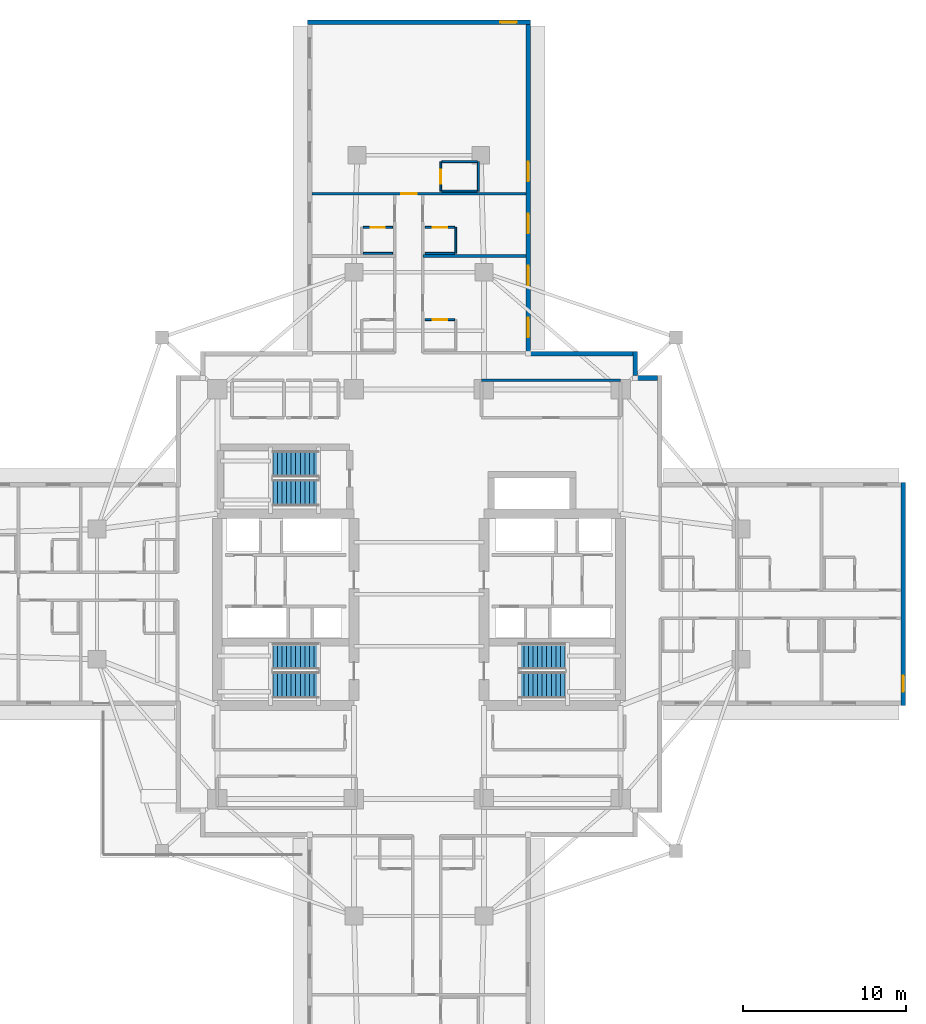
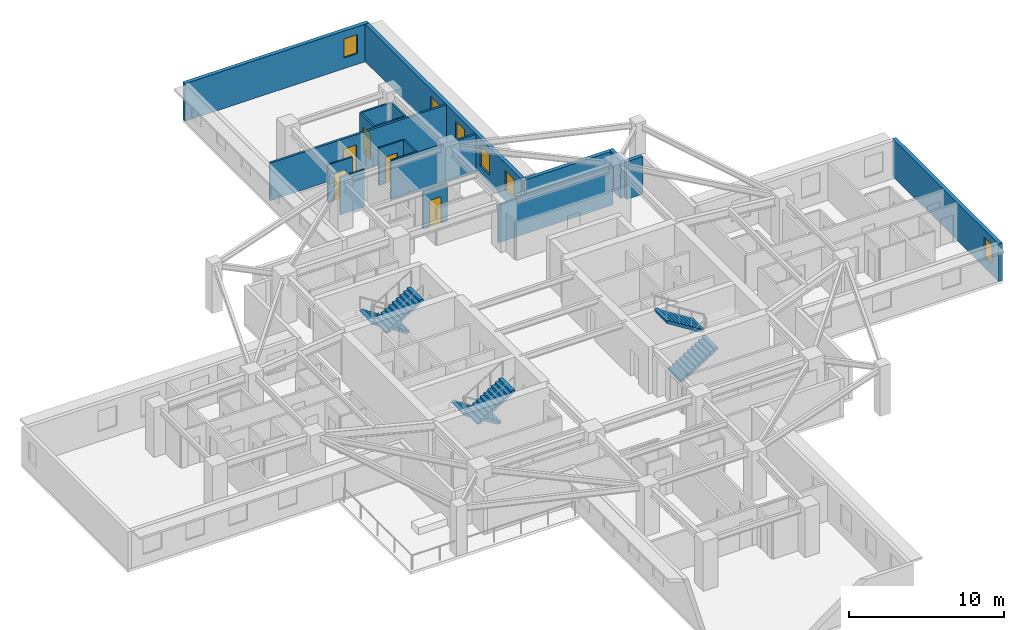
# One storey, part 8 of 13: 19 walls, 6 stair flights, 6 windows, 5 doors, 11 openings, 3 elements without a shape of their own.
"""IFC4 building model written with IfcOpenShell, lengths in metres."""

from ifc_helpers import new_model, si_unit, direction, frame, frame_2d, origin, place, context, subcontext, project, spatial, polyline, rectangle, outline, extrude, material, layer, layer_set, type_object, element, fill, aggregate, save


model = new_model("IFC4")

# Units and contexts
model_context = context("Model", 3, precision=1e-05, world=origin(), true_north=direction((0.0, 1.0)))
body_context = subcontext(model_context, "Body", "Model", "MODEL_VIEW")
ifc_project = project(units=[si_unit("LENGTHUNIT", "METRE"), si_unit("AREAUNIT", "SQUARE_METRE"), si_unit("VOLUMEUNIT", "CUBIC_METRE"), si_unit("PLANEANGLEUNIT", "RADIAN"), si_unit("MASSUNIT", "GRAM", prefix="KILO")], contexts=[model_context])

# Site, building, storey
site_placement = place(None, origin())
site = spatial("IfcSite", under=ifc_project, at=site_placement, CompositionType="ELEMENT")
building_placement = place(site_placement, origin())
building = spatial("IfcBuilding", under=site, at=building_placement, Name="Qingluan Cross Belvedere", CompositionType="ELEMENT")
storey_placement = place(building_placement, frame((0.0, 0.0, 104.699951171875)))
storey = spatial("IfcBuildingStorey", under=building, at=storey_placement, Name="L26", CompositionType="ELEMENT", Elevation=104.699951171875)

# Walls
ifc_material_1 = material(Name="Gypsum plasterboard on steel stud acoustic partition", Category="steel")
ifc_layer_1 = layer(ifc_material_1, 0.159912109375, Name="CorridorPartition_160")
ifc_layer_set_1 = layer_set([ifc_layer_1], Name="Gypsum plasterboard on steel stud acoustic partition")
wall_type_1 = type_object("IfcWallType", Name="CorridorPartition_160", PredefinedType="PARTITIONING", material=ifc_layer_set_1)
wall_1_placement = place(storey_placement, frame((3.85009765625, 13.14990234375, 0.0), z_axis=(0.0, 0.0, 1.0), x_axis=(1.0, 0.0, 0.0)))
element("IfcWall", 1, at=wall_1_placement, inside=storey, type_object=wall_type_1, Name="Partition L26:q_ne:N", PredefinedType="PARTITIONING", context=body_context, shape_type="SweptSolid", body=[
    extrude(rectangle(XDim=8.5498046875, YDim=0.159912109375, at=frame_2d((4.27490234375, 0.0))), origin(), (0.0, 0.0, 1.0), 2.9599609375),
])
wall_2_placement = place(storey_placement, frame((0.239990234375, 20.800048828125, 0.0), z_axis=(0.0, 0.0, 1.0), x_axis=(1.0, 0.0, 0.0)))
element("IfcWall", 2, at=wall_2_placement, inside=storey, type_object=wall_type_1, Name="Partition L26:N:d0_0", PredefinedType="PARTITIONING", context=body_context, shape_type="SweptSolid", body=[
    extrude(rectangle(XDim=6.33203125, YDim=0.159912109375, at=frame_2d((3.166015625, 0.0))), origin(), (0.0, 0.0, 1.0), 2.9599609375),
])

# Wall, opening, door
wall_3_placement = place(storey_placement, frame((-6.572021484375, 24.6298828125, 0.0), z_axis=(0.0, 0.0, 1.0), x_axis=(1.0, 0.0, 0.0)))
wall_3 = element("IfcWall", 3, at=wall_3_placement, inside=storey, type_object=wall_type_1, Name="Partition L26:Ncap:in", PredefinedType="PARTITIONING", context=body_context, shape_type="SweptSolid", body=[
    extrude(rectangle(XDim=13.14404296875, YDim=0.159912109375, at=frame_2d((6.572021484375, 0.0))), origin(), (0.0, 0.0, 1.0), 2.9599609375),
])
opening_1_placement = place(wall_3_placement, frame((5.471923828125, 0.0, 0.0)))
opening_1 = element("IfcOpeningElement", 4, at=opening_1_placement, cuts=wall_3, Name="Opening GD-10", PredefinedType="OPENING", context=body_context, shape_type="SweptSolid", body=[
    extrude(rectangle(XDim=0.9599609375, YDim=2.14990234375, at=frame_2d((0.47998046875, 1.074951171875))), frame((0.0, 0.08984375, 0.0), z_axis=(0.0, -1.0, 0.0), x_axis=(1.0, 0.0, 0.0)), (0.0, 0.0, 1.0), 0.179931640625),
])
ifc_material_2 = material(Name="Timber oak fire-rated acoustic guestroom door", Category="wood")
door_type_1 = type_object("IfcDoorType", Name="GuestEntryDoor_FD60", OperationType="NOTDEFINED", PredefinedType="DOOR", material=ifc_material_2)
door_1_placement = place(opening_1_placement, origin())
door_1 = element("IfcDoor", 5, at=door_1_placement, inside=storey, type_object=door_type_1, Name="Presidential suite entrance door L26N", OperationType="SINGLE_SWING_LEFT", OverallHeight=2.14990234375, OverallWidth=0.9599609375, PredefinedType="DOOR", context=body_context, shape_type="SweptSolid", body=[
    extrude(rectangle(XDim=0.9599609375, YDim=2.14990234375, at=frame_2d((0.47998046875, 1.074951171875))), frame((0.0, 0.02490234375, 0.0), z_axis=(0.0, -1.0, 0.0), x_axis=(1.0, 0.0, 0.0)), (0.0, 0.0, 1.0), 0.050048828125),
])
fill(opening_1, door_1)

ifc_material_3 = material(Name="Moisture-resistant gypsum board lining")
ifc_layer_2 = layer(ifc_material_3, 0.1201171875, Name="EnsuiteWetPartition_120")
ifc_layer_set_2 = layer_set([ifc_layer_2], Name="Moisture-resistant gypsum board lining")
wall_type_2 = type_object("IfcWallType", Name="EnsuiteWetPartition_120", PredefinedType="PARTITIONING", material=ifc_layer_set_2)
wall_4_placement = place(storey_placement, frame((0.3798828125, 16.889892578125, 0.0), z_axis=(0.0, 0.0, 1.0), x_axis=(1.0, 0.0, 0.0)))
wall_4 = element("IfcWall", 6, at=wall_4_placement, inside=storey, type_object=wall_type_2, Name="Partition L26:N:bs0_0", PredefinedType="PARTITIONING", context=body_context, shape_type="SweptSolid", body=[
    extrude(rectangle(XDim=1.820068359375, YDim=0.1201171875, at=frame_2d((0.91015625, 0.0))), origin(), (0.0, 0.0, 1.0), 2.9599609375),
])
opening_2_placement = place(wall_4_placement, frame((0.469970703125, 0.0, 0.0)))
opening_2 = element("IfcOpeningElement", 7, at=opening_2_placement, cuts=wall_4, Name="Opening BD-09", PredefinedType="OPENING", context=body_context, shape_type="SweptSolid", body=[
    extrude(rectangle(XDim=0.8798828125, YDim=2.10009765625, at=frame_2d((0.43994140625, 1.050048828125))), frame((0.0, 0.070068359375, 0.0), z_axis=(0.0, -1.0, 0.0), x_axis=(1.0, 0.0, 0.0)), (0.0, 0.0, 1.0), 0.14013671875),
])
ifc_material_4 = material(Name="Moisture-sealed timber en-suite door", Category="wood")
door_type_2 = type_object("IfcDoorType", Name="BathroomDoor_880", OperationType="NOTDEFINED", PredefinedType="DOOR", material=ifc_material_4)
door_2_placement = place(opening_2_placement, origin())
door_2 = element("IfcDoor", 8, at=door_2_placement, inside=storey, type_object=door_type_2, Name="Bathroom door 2611", OperationType="SINGLE_SWING_LEFT", OverallHeight=2.10009765625, OverallWidth=0.8798828125, PredefinedType="DOOR", context=body_context, shape_type="SweptSolid", body=[
    extrude(rectangle(XDim=0.8798828125, YDim=2.10009765625, at=frame_2d((0.43994140625, 1.050048828125))), frame((0.0, 0.02490234375, 0.0), z_axis=(0.0, -1.0, 0.0), x_axis=(1.0, 0.0, 0.0)), (0.0, 0.0, 1.0), 0.050048828125),
])
fill(opening_2, door_2)

wall_5_placement = place(storey_placement, frame((0.3798828125, 22.56005859375, 0.0), z_axis=(0.0, 0.0, 1.0), x_axis=(1.0, 0.0, 0.0)))
wall_5 = element("IfcWall", 9, at=wall_5_placement, inside=storey, type_object=wall_type_2, Name="Partition L26:N:bs0_1", PredefinedType="PARTITIONING", context=body_context, shape_type="SweptSolid", body=[
    extrude(rectangle(XDim=1.820068359375, YDim=0.1201171875, at=frame_2d((0.91015625, 0.0))), origin(), (0.0, 0.0, 1.0), 2.9599609375),
])
opening_3_placement = place(wall_5_placement, frame((0.469970703125, 0.0, 0.0)))
opening_3 = element("IfcOpeningElement", 10, at=opening_3_placement, cuts=wall_5, Name="Opening BD-09", PredefinedType="OPENING", context=body_context, shape_type="SweptSolid", body=[
    extrude(rectangle(XDim=0.8798828125, YDim=2.10009765625, at=frame_2d((0.43994140625, 1.050048828125))), frame((0.0, 0.070068359375, 0.0), z_axis=(0.0, -1.0, 0.0), x_axis=(1.0, 0.0, 0.0)), (0.0, 0.0, 1.0), 0.14013671875),
])
door_3_placement = place(opening_3_placement, origin())
door_3 = element("IfcDoor", 11, at=door_3_placement, inside=storey, type_object=door_type_2, Name="Bathroom door 2612", OperationType="SINGLE_SWING_LEFT", OverallHeight=2.10009765625, OverallWidth=0.8798828125, PredefinedType="DOOR", context=body_context, shape_type="SweptSolid", body=[
    extrude(rectangle(XDim=0.8798828125, YDim=2.10009765625, at=frame_2d((0.43994140625, 1.050048828125))), frame((0.0, 0.02490234375, 0.0), z_axis=(0.0, -1.0, 0.0), x_axis=(1.0, 0.0, 0.0)), (0.0, 0.0, 1.0), 0.050048828125),
])
fill(opening_3, door_3)

# Walls
wall_6_placement = place(storey_placement, frame((0.3798828125, 20.9599609375, 0.0), z_axis=(0.0, 0.0, 1.0), x_axis=(1.0, 0.0, 0.0)))
element("IfcWall", 12, at=wall_6_placement, inside=storey, type_object=wall_type_2, Name="Partition L26:N:bw0_1", PredefinedType="PARTITIONING", context=body_context, shape_type="SweptSolid", body=[
    extrude(rectangle(XDim=1.820068359375, YDim=0.1201171875, at=frame_2d((0.91015625, 0.0))), origin(), (0.0, 0.0, 1.0), 2.9599609375),
])
wall_7_placement = place(storey_placement, frame((2.264892578125, 20.9599609375, 0.0), z_axis=(0.0, 0.0, 1.0), x_axis=(0.0, 1.0, 0.0)))
element("IfcWall", 13, at=wall_7_placement, inside=storey, type_object=wall_type_2, Name="Partition L26:N:bn0_1", PredefinedType="PARTITIONING", context=body_context, shape_type="SweptSolid", body=[
    extrude(rectangle(XDim=1.60009765625, YDim=0.1201171875, at=frame_2d((0.800048828125, 0.0))), origin(), (0.0, 0.0, 1.0), 2.9599609375),
])

# Wall, opening, door
wall_8_placement = place(storey_placement, frame((-3.43994140625, 22.56005859375, 0.0), z_axis=(0.0, 0.0, 1.0), x_axis=(1.0, 0.0, 0.0)))
wall_8 = element("IfcWall", 14, at=wall_8_placement, inside=storey, type_object=wall_type_2, Name="Partition L26:N:bs1_1", PredefinedType="PARTITIONING", context=body_context, shape_type="SweptSolid", body=[
    extrude(rectangle(XDim=1.81982421875, YDim=0.1201171875, at=frame_2d((0.909912109375, 0.0))), origin(), (0.0, 0.0, 1.0), 2.9599609375),
])
opening_4_placement = place(wall_8_placement, frame((0.469970703125, 0.0, 0.0)))
opening_4 = element("IfcOpeningElement", 15, at=opening_4_placement, cuts=wall_8, Name="Opening BD-09", PredefinedType="OPENING", context=body_context, shape_type="SweptSolid", body=[
    extrude(rectangle(XDim=0.8798828125, YDim=2.10009765625, at=frame_2d((0.43994140625, 1.050048828125))), frame((0.0, 0.070068359375, 0.0), z_axis=(0.0, -1.0, 0.0), x_axis=(1.0, 0.0, 0.0)), (0.0, 0.0, 1.0), 0.14013671875),
])
door_4_placement = place(opening_4_placement, origin())
door_4 = element("IfcDoor", 16, at=door_4_placement, inside=storey, type_object=door_type_2, Name="Bathroom door 2614", OperationType="SINGLE_SWING_LEFT", OverallHeight=2.10009765625, OverallWidth=0.8798828125, PredefinedType="DOOR", context=body_context, shape_type="SweptSolid", body=[
    extrude(rectangle(XDim=0.8798828125, YDim=2.10009765625, at=frame_2d((0.43994140625, 1.050048828125))), frame((0.0, 0.02490234375, 0.0), z_axis=(0.0, -1.0, 0.0), x_axis=(1.0, 0.0, 0.0)), (0.0, 0.0, 1.0), 0.050048828125),
])
fill(opening_4, door_4)

# Wall
wall_9_placement = place(storey_placement, frame((-3.43994140625, 20.9599609375, 0.0), z_axis=(0.0, 0.0, 1.0), x_axis=(1.0, 0.0, 0.0)))
element("IfcWall", 17, at=wall_9_placement, inside=storey, type_object=wall_type_2, Name="Partition L26:N:bw1_1", PredefinedType="PARTITIONING", context=body_context, shape_type="SweptSolid", body=[
    extrude(rectangle(XDim=1.81982421875, YDim=0.1201171875, at=frame_2d((0.909912109375, 0.0))), origin(), (0.0, 0.0, 1.0), 2.9599609375),
])

# Wall, opening, door
wall_10_placement = place(storey_placement, frame((1.340087890625, 24.7900390625, 0.0), z_axis=(0.0, 0.0, 1.0), x_axis=(0.0, 1.0, 0.0)))
wall_10 = element("IfcWall", 18, at=wall_10_placement, inside=storey, type_object=wall_type_2, Name="Partition L26:Ncap:bs", PredefinedType="PARTITIONING", context=body_context, shape_type="SweptSolid", body=[
    extrude(rectangle(XDim=1.820068359375, YDim=0.1201171875, at=frame_2d((0.91015625, 0.0))), origin(), (0.0, 0.0, 1.0), 2.9599609375),
])
opening_5_placement = place(wall_10_placement, frame((0.449951171875, 0.0, 0.0)))
opening_5 = element("IfcOpeningElement", 19, at=opening_5_placement, cuts=wall_10, Name="Opening BD-09", PredefinedType="OPENING", context=body_context, shape_type="SweptSolid", body=[
    extrude(rectangle(XDim=0.8798828125, YDim=2.10009765625, at=frame_2d((0.43994140625, 1.050048828125))), frame((0.0, 0.070068359375, 0.0), z_axis=(0.0, -1.0, 0.0), x_axis=(1.0, 0.0, 0.0)), (0.0, 0.0, 1.0), 0.14013671875),
])
door_5_placement = place(opening_5_placement, origin())
door_5 = element("IfcDoor", 20, at=door_5_placement, inside=storey, type_object=door_type_2, Name="En-suite bathroom door L26N", OperationType="SINGLE_SWING_RIGHT", OverallHeight=2.10009765625, OverallWidth=0.8798828125, PredefinedType="DOOR", context=body_context, shape_type="SweptSolid", body=[
    extrude(rectangle(XDim=0.8798828125, YDim=2.10009765625, at=frame_2d((0.43994140625, 1.050048828125))), frame((0.0, 0.02490234375, 0.0), z_axis=(0.0, -1.0, 0.0), x_axis=(1.0, 0.0, 0.0)), (0.0, 0.0, 1.0), 0.050048828125),
])
fill(opening_5, door_5)

# Walls
wall_11_placement = place(storey_placement, frame((3.659912109375, 24.7900390625, 0.0), z_axis=(0.0, 0.0, 1.0), x_axis=(0.0, 1.0, 0.0)))
element("IfcWall", 21, at=wall_11_placement, inside=storey, type_object=wall_type_2, Name="Partition L26:Ncap:bb", PredefinedType="PARTITIONING", context=body_context, shape_type="SweptSolid", body=[
    extrude(rectangle(XDim=1.820068359375, YDim=0.1201171875, at=frame_2d((0.91015625, 0.0))), origin(), (0.0, 0.0, 1.0), 2.9599609375),
])
for number, where, z_axis, x_axis, name in (
    (22, (1.409912109375, 24.7900390625, 0.0), (0.0, 0.0, 1.0), (1.0, 0.0, 0.0), "Partition L26:Ncap:ba"),
    (23, (1.409912109375, 26.610107421875, 0.0), (0.0, 0.0, 1.0), (1.0, 0.0, 0.0), "Partition L26:Ncap:bn"),
):
    element("IfcWall", number, at=place(storey_placement, frame(where, z_axis=z_axis, x_axis=x_axis)), inside=storey, type_object=wall_type_2, Name=name, PredefinedType="PARTITIONING", context=body_context, shape_type="SweptSolid", body=[
        extrude(rectangle(XDim=2.18017578125, YDim=0.1201171875, at=frame_2d((1.090087890625, 0.0))), origin(), (0.0, 0.0, 1.0), 2.9599609375),
    ])

# Wall, opening, window
ifc_material_5 = material(Name="Precast concrete C45", Category="concrete")
ifc_layer_3 = layer(ifc_material_5, 0.280029296875, Name="PrecastFacadeWall_280")
ifc_layer_set_3 = layer_set([ifc_layer_3], Name="Precast concrete C45")
wall_type_3 = type_object("IfcWallType", Name="PrecastFacadeWall_280", PredefinedType="STANDARD", material=ifc_layer_set_3)
wall_12_placement = place(storey_placement, frame((29.780029296875, -6.860107421875, 0.0), z_axis=(0.0, 0.0, 1.0), x_axis=(0.0, 1.0, 0.0)))
wall_12 = element("IfcWall", 24, at=wall_12_placement, inside=storey, type_object=wall_type_3, Name="Arm tip precast facade wall L26-E", PredefinedType="STANDARD", context=body_context, shape_type="SweptSolid", body=[
    extrude(rectangle(XDim=13.72021484375, YDim=0.280029296875, at=frame_2d((6.860107421875, 0.0))), origin(), (0.0, 0.0, 1.0), 2.969970703125),
])
opening_6_placement = place(wall_12_placement, frame((0.85009765625, 0.0, 0.85009765625)))
opening_6 = element("IfcOpeningElement", 25, at=opening_6_placement, cuts=wall_12, Name="Opening W-03", PredefinedType="OPENING", context=body_context, shape_type="SweptSolid", body=[
    extrude(rectangle(XDim=1.0, YDim=1.5, at=frame_2d((0.5, 0.75))), frame((0.0, 0.14990234375, 0.0), z_axis=(0.0, -1.0, 0.0), x_axis=(1.0, 0.0, 0.0)), (0.0, 0.0, 1.0), 0.300048828125),
])
ifc_material_6 = material(Name="Thermally broken triple Low-E glass in aluminium frame", Category="aluminium")
window_type_1 = type_object("IfcWindowType", Name="TriApexWin_1000x1500", PartitioningType="SINGLE_PANEL", PredefinedType="WINDOW", material=ifc_material_6)
window_1_placement = place(opening_6_placement, origin())
window_1 = element("IfcWindow", 26, at=window_1_placement, inside=storey, type_object=window_type_1, Name="Arm tip triangular window L26-E", OverallHeight=1.5, OverallWidth=1.0, PartitioningType="SINGLE_PANEL", PredefinedType="WINDOW", context=body_context, shape_type="SweptSolid", body=[
    extrude(rectangle(XDim=1.0, YDim=1.5, at=frame_2d((0.5, 0.75))), frame((0.0, 0.030029296875, 0.0), z_axis=(0.0, -1.0, 0.0), x_axis=(1.0, 0.0, 0.0)), (0.0, 0.0, 1.0), 0.06005859375),
])
fill(opening_6, window_1)

# Wall, openings, windows
wall_13_placement = place(storey_placement, frame((6.719970703125, 14.93994140625, 0.0), z_axis=(0.0, 0.0, 1.0), x_axis=(0.0, 1.0, 0.0)))
wall_13 = element("IfcWall", 27, at=wall_13_placement, inside=storey, type_object=wall_type_3, Name="Facade wall L26-NA", PredefinedType="STANDARD", context=body_context, shape_type="SweptSolid", body=[
    extrude(rectangle(XDim=20.10009765625, YDim=0.280029296875, at=frame_2d((10.050048828125, 0.0))), origin(), (0.0, 0.0, 1.0), 2.969970703125),
])
opening_7_placement = place(wall_13_placement, frame((0.85009765625, 0.0, 0.800048828125)))
opening_7 = element("IfcOpeningElement", 28, at=opening_7_placement, cuts=wall_13, Name="Opening W-02", PredefinedType="OPENING", context=body_context, shape_type="SweptSolid", body=[
    extrude(rectangle(XDim=1.199951171875, YDim=1.60009765625, at=frame_2d((0.60009765625, 0.800048828125))), frame((0.0, 0.14990234375, 0.0), z_axis=(0.0, -1.0, 0.0), x_axis=(1.0, 0.0, 0.0)), (0.0, 0.0, 1.0), 0.300048828125),
])
opening_8_placement = place(wall_13_placement, frame((4.050048828125, 0.0, 0.800048828125)))
opening_8 = element("IfcOpeningElement", 29, at=opening_8_placement, cuts=wall_13, Name="Opening W-02", PredefinedType="OPENING", context=body_context, shape_type="SweptSolid", body=[
    extrude(rectangle(XDim=1.199951171875, YDim=1.60009765625, at=frame_2d((0.60009765625, 0.800048828125))), frame((0.0, 0.14990234375, 0.0), z_axis=(0.0, -1.0, 0.0), x_axis=(1.0, 0.0, 0.0)), (0.0, 0.0, 1.0), 0.300048828125),
])
opening_9_placement = place(wall_13_placement, frame((7.25, 0.0, 0.800048828125)))
opening_9 = element("IfcOpeningElement", 30, at=opening_9_placement, cuts=wall_13, Name="Opening W-02", PredefinedType="OPENING", context=body_context, shape_type="SweptSolid", body=[
    extrude(rectangle(XDim=1.199951171875, YDim=1.60009765625, at=frame_2d((0.60009765625, 0.800048828125))), frame((0.0, 0.14990234375, 0.0), z_axis=(0.0, -1.0, 0.0), x_axis=(1.0, 0.0, 0.0)), (0.0, 0.0, 1.0), 0.300048828125),
])
opening_10_placement = place(wall_13_placement, frame((10.449951171875, 0.0, 0.800048828125)))
opening_10 = element("IfcOpeningElement", 31, at=opening_10_placement, cuts=wall_13, Name="Opening W-02", PredefinedType="OPENING", context=body_context, shape_type="SweptSolid", body=[
    extrude(rectangle(XDim=1.199951171875, YDim=1.60009765625, at=frame_2d((0.60009765625, 0.800048828125))), frame((0.0, 0.14990234375, 0.0), z_axis=(0.0, -1.0, 0.0), x_axis=(1.0, 0.0, 0.0)), (0.0, 0.0, 1.0), 0.300048828125),
])
ifc_material_7 = material(Name="Thermally broken triple Low-E glass in aluminium frame", Category="aluminium")
window_type_2 = type_object("IfcWindowType", Name="TriRibbonWin_1200x1600", PartitioningType="SINGLE_PANEL", PredefinedType="WINDOW", material=ifc_material_7)
window_2_placement = place(opening_7_placement, origin())
window_2 = element("IfcWindow", 32, at=window_2_placement, inside=storey, type_object=window_type_2, Name="Ribbon window L26-NA-1", OverallHeight=1.60009765625, OverallWidth=1.199951171875, PartitioningType="SINGLE_PANEL", PredefinedType="WINDOW", context=body_context, shape_type="SweptSolid", body=[
    extrude(rectangle(XDim=1.199951171875, YDim=1.60009765625, at=frame_2d((0.60009765625, 0.800048828125))), frame((0.0, 0.030029296875, 0.0), z_axis=(0.0, -1.0, 0.0), x_axis=(1.0, 0.0, 0.0)), (0.0, 0.0, 1.0), 0.06005859375),
])
fill(opening_7, window_2)
window_3_placement = place(opening_8_placement, origin())
window_3 = element("IfcWindow", 33, at=window_3_placement, inside=storey, type_object=window_type_2, Name="Ribbon window L26-NA-2", OverallHeight=1.60009765625, OverallWidth=1.199951171875, PartitioningType="SINGLE_PANEL", PredefinedType="WINDOW", context=body_context, shape_type="SweptSolid", body=[
    extrude(rectangle(XDim=1.199951171875, YDim=1.60009765625, at=frame_2d((0.60009765625, 0.800048828125))), frame((0.0, 0.030029296875, 0.0), z_axis=(0.0, -1.0, 0.0), x_axis=(1.0, 0.0, 0.0)), (0.0, 0.0, 1.0), 0.06005859375),
])
fill(opening_8, window_3)
window_4_placement = place(opening_9_placement, origin())
window_4 = element("IfcWindow", 34, at=window_4_placement, inside=storey, type_object=window_type_2, Name="Ribbon window L26-NA-3", OverallHeight=1.60009765625, OverallWidth=1.199951171875, PartitioningType="SINGLE_PANEL", PredefinedType="WINDOW", context=body_context, shape_type="SweptSolid", body=[
    extrude(rectangle(XDim=1.199951171875, YDim=1.60009765625, at=frame_2d((0.60009765625, 0.800048828125))), frame((0.0, 0.030029296875, 0.0), z_axis=(0.0, -1.0, 0.0), x_axis=(1.0, 0.0, 0.0)), (0.0, 0.0, 1.0), 0.06005859375),
])
fill(opening_9, window_4)
window_5_placement = place(opening_10_placement, origin())
window_5 = element("IfcWindow", 35, at=window_5_placement, inside=storey, type_object=window_type_2, Name="Ribbon window L26-NA-4", OverallHeight=1.60009765625, OverallWidth=1.199951171875, PartitioningType="SINGLE_PANEL", PredefinedType="WINDOW", context=body_context, shape_type="SweptSolid", body=[
    extrude(rectangle(XDim=1.199951171875, YDim=1.60009765625, at=frame_2d((0.60009765625, 0.800048828125))), frame((0.0, 0.030029296875, 0.0), z_axis=(0.0, -1.0, 0.0), x_axis=(1.0, 0.0, 0.0)), (0.0, 0.0, 1.0), 0.06005859375),
])
fill(opening_10, window_5)

# Wall, opening, window
wall_14_placement = place(storey_placement, frame((6.860107421875, 35.179931640625, 0.0), z_axis=(0.0, 0.0, 1.0), x_axis=(-1.0, 0.0, 0.0)))
wall_14 = element("IfcWall", 36, at=wall_14_placement, inside=storey, type_object=wall_type_3, Name="Arm tip precast facade wall L26-N", PredefinedType="STANDARD", context=body_context, shape_type="SweptSolid", body=[
    extrude(rectangle(XDim=13.72021484375, YDim=0.280029296875, at=frame_2d((6.860107421875, 0.0))), origin(), (0.0, 0.0, 1.0), 2.969970703125),
])
opening_11_placement = place(wall_14_placement, frame((0.85009765625, 0.0, 0.85009765625)))
opening_11 = element("IfcOpeningElement", 37, at=opening_11_placement, cuts=wall_14, Name="Opening W-03", PredefinedType="OPENING", context=body_context, shape_type="SweptSolid", body=[
    extrude(rectangle(XDim=1.0, YDim=1.5, at=frame_2d((0.5, 0.75))), frame((0.0, 0.14990234375, 0.0), z_axis=(0.0, -1.0, 0.0), x_axis=(1.0, 0.0, 0.0)), (0.0, 0.0, 1.0), 0.300048828125),
])
window_6_placement = place(opening_11_placement, origin())
window_6 = element("IfcWindow", 38, at=window_6_placement, inside=storey, type_object=window_type_1, Name="Arm tip triangular window L26-N", OverallHeight=1.5, OverallWidth=1.0, PartitioningType="SINGLE_PANEL", PredefinedType="WINDOW", context=body_context, shape_type="SweptSolid", body=[
    extrude(rectangle(XDim=1.0, YDim=1.5, at=frame_2d((0.5, 0.75))), frame((0.0, 0.030029296875, 0.0), z_axis=(0.0, -1.0, 0.0), x_axis=(1.0, 0.0, 0.0)), (0.0, 0.0, 1.0), 0.06005859375),
])
fill(opening_11, window_6)

# Walls
wall_15_placement = place(storey_placement, frame((14.659912109375, 13.300048828125, 0.0), z_axis=(0.0, 0.0, 1.0), x_axis=(-1.0, 0.0, 0.0)))
element("IfcWall", 39, at=wall_15_placement, inside=storey, type_object=wall_type_3, Name="Corner wall L26-NE2", PredefinedType="STANDARD", context=body_context, shape_type="SweptSolid", body=[
    extrude(rectangle(XDim=1.219970703125, YDim=0.280029296875, at=frame_2d((0.60986328125, 0.0))), origin(), (0.0, 0.0, 1.0), 2.969970703125),
])
wall_16_placement = place(storey_placement, frame((13.300048828125, 13.43994140625, 0.0), z_axis=(0.0, 0.0, 1.0), x_axis=(0.0, 1.0, 0.0)))
element("IfcWall", 40, at=wall_16_placement, inside=storey, type_object=wall_type_3, Name="Corner wall L26-NE3", PredefinedType="STANDARD", context=body_context, shape_type="SweptSolid", body=[
    extrude(rectangle(XDim=1.5, YDim=0.280029296875, at=frame_2d((0.75, 0.0))), origin(), (0.0, 0.0, 1.0), 2.969970703125),
])
wall_17_placement = place(storey_placement, frame((13.159912109375, 14.800048828125, 0.0), z_axis=(0.0, 0.0, 1.0), x_axis=(-1.0, 0.0, 0.0)))
element("IfcWall", 41, at=wall_17_placement, inside=storey, type_object=wall_type_3, Name="Corner wall L26-NE4", PredefinedType="STANDARD", context=body_context, shape_type="SweptSolid", body=[
    extrude(rectangle(XDim=6.2998046875, YDim=0.280029296875, at=frame_2d((3.14990234375, 0.0))), origin(), (0.0, 0.0, 1.0), 2.969970703125),
])

# Stair, stair flights
ifc_material_8 = material(Name="Concrete C40", Category="concrete")
stair_type = type_object("IfcStairType", Name="CoreDoglegStair_1620", PredefinedType="HALF_TURN_STAIR", material=ifc_material_8)
stair_1_placement = place(storey_placement, origin())
stair_1 = element("IfcStair", 42, at=stair_1_placement, inside=storey, type_object=stair_type, Name="L26 ST1", PredefinedType="HALF_TURN_STAIR")
ifc_material_9 = material(Name="Concrete C40", Category="concrete")
ifc_layer_4 = layer(ifc_material_9, 0.179931640625, Name="StairFlight_RC180")
ifc_layer_set_4 = layer_set([ifc_layer_4], Name="Concrete C40")
stair_flight_type = type_object("IfcStairFlightType", Name="StairFlight_RC180", PredefinedType="STRAIGHT", material=ifc_layer_set_4)
stair_flight_1_placement = place(storey_placement, frame((-6.179931640625, -3.81005859375, 0.0), z_axis=(0.0, 0.0, 1.0), x_axis=(-1.0, 0.0, 0.0)))
stair_flight_1 = element("IfcStairFlight", 43, at=stair_flight_1_placement, type_object=stair_flight_type, Name="ST1 flight 1", NumberOfRisers=11, NumberOfTreads=10, PredefinedType="STRAIGHT", RiserHeight=0.177272727, TreadLength=0.28, context=body_context, shape_type="SweptSolid", body=[
    extrude(outline(polyline([(0.0, 0.0), (0.0, 0.17724609375), (0.280029296875, 0.17724609375), (0.280029296875, 0.3544921875), (0.56005859375, 0.3544921875), (0.56005859375, 0.53173828125), (0.840087890625, 0.53173828125), (0.840087890625, 0.708984375), (1.1201171875, 0.708984375), (1.1201171875, 0.886474609375), (1.39990234375, 0.886474609375), (1.39990234375, 1.063720703125), (1.679931640625, 1.063720703125), (1.679931640625, 1.240966796875), (1.9599609375, 1.240966796875), (1.9599609375, 1.418212890625), (2.239990234375, 1.418212890625), (2.239990234375, 1.595458984375), (2.52001953125, 1.595458984375), (2.52001953125, 1.772705078125), (2.800048828125, 1.772705078125), (2.800048828125, 1.949951171875), (2.800048828125, 1.59521484375), (0.2802734375, 0.0), (0.0, 0.0)])), frame((0.0, 0.81005859375, 0.0), z_axis=(0.0, -1.0, 0.0), x_axis=(1.0, 0.0, 0.0)), (0.0, 0.0, 1.0), 1.6201171875),
])
stair_flight_2_placement = place(storey_placement, frame((-8.97998046875, -5.590087890625, 1.949951171875), z_axis=(0.0, 0.0, 1.0), x_axis=(1.0, 0.0, 0.0)))
stair_flight_2 = element("IfcStairFlight", 44, at=stair_flight_2_placement, type_object=stair_flight_type, Name="ST1 flight 2", NumberOfRisers=11, NumberOfTreads=10, PredefinedType="STRAIGHT", RiserHeight=0.177272727, TreadLength=0.28, context=body_context, shape_type="SweptSolid", body=[
    extrude(outline(polyline([(0.0, 0.0), (0.0, 0.17724609375), (0.280029296875, 0.17724609375), (0.280029296875, 0.3544921875), (0.56005859375, 0.3544921875), (0.56005859375, 0.53173828125), (0.840087890625, 0.53173828125), (0.840087890625, 0.708984375), (1.1201171875, 0.708984375), (1.1201171875, 0.886474609375), (1.39990234375, 0.886474609375), (1.39990234375, 1.063720703125), (1.679931640625, 1.063720703125), (1.679931640625, 1.240966796875), (1.9599609375, 1.240966796875), (1.9599609375, 1.418212890625), (2.239990234375, 1.418212890625), (2.239990234375, 1.595458984375), (2.52001953125, 1.595458984375), (2.52001953125, 1.772705078125), (2.800048828125, 1.772705078125), (2.800048828125, 1.949951171875), (2.800048828125, 1.59521484375), (0.2802734375, 0.0), (0.0, 0.0)])), frame((0.0, 0.81005859375, 0.0), z_axis=(0.0, -1.0, 0.0), x_axis=(1.0, 0.0, 0.0)), (0.0, 0.0, 1.0), 1.6201171875),
])
aggregate(stair_1, [stair_flight_1, stair_flight_2])

stair_2_placement = place(storey_placement, origin())
stair_2 = element("IfcStair", 45, at=stair_2_placement, inside=storey, type_object=stair_type, Name="L26 ST2", PredefinedType="HALF_TURN_STAIR")
stair_flight_3_placement = place(storey_placement, frame((6.179931640625, -5.590087890625, 0.0), z_axis=(0.0, 0.0, 1.0), x_axis=(1.0, 0.0, 0.0)))
stair_flight_3 = element("IfcStairFlight", 46, at=stair_flight_3_placement, type_object=stair_flight_type, Name="ST2 flight 1", NumberOfRisers=11, NumberOfTreads=10, PredefinedType="STRAIGHT", RiserHeight=0.177272727, TreadLength=0.28, context=body_context, shape_type="SweptSolid", body=[
    extrude(outline(polyline([(0.0, 0.0), (0.0, 0.17724609375), (0.280029296875, 0.17724609375), (0.280029296875, 0.3544921875), (0.56005859375, 0.3544921875), (0.56005859375, 0.53173828125), (0.840087890625, 0.53173828125), (0.840087890625, 0.708984375), (1.1201171875, 0.708984375), (1.1201171875, 0.886474609375), (1.39990234375, 0.886474609375), (1.39990234375, 1.063720703125), (1.679931640625, 1.063720703125), (1.679931640625, 1.240966796875), (1.9599609375, 1.240966796875), (1.9599609375, 1.418212890625), (2.239990234375, 1.418212890625), (2.239990234375, 1.595458984375), (2.52001953125, 1.595458984375), (2.52001953125, 1.772705078125), (2.800048828125, 1.772705078125), (2.800048828125, 1.949951171875), (2.800048828125, 1.59521484375), (0.2802734375, 0.0), (0.0, 0.0)])), frame((0.0, 0.81005859375, 0.0), z_axis=(0.0, -1.0, 0.0), x_axis=(1.0, 0.0, 0.0)), (0.0, 0.0, 1.0), 1.6201171875),
])
stair_flight_4_placement = place(storey_placement, frame((8.97998046875, -3.81005859375, 1.949951171875), z_axis=(0.0, 0.0, 1.0), x_axis=(-1.0, 0.0, 0.0)))
stair_flight_4 = element("IfcStairFlight", 47, at=stair_flight_4_placement, type_object=stair_flight_type, Name="ST2 flight 2", NumberOfRisers=11, NumberOfTreads=10, PredefinedType="STRAIGHT", RiserHeight=0.177272727, TreadLength=0.28, context=body_context, shape_type="SweptSolid", body=[
    extrude(outline(polyline([(0.0, 0.0), (0.0, 0.17724609375), (0.280029296875, 0.17724609375), (0.280029296875, 0.3544921875), (0.56005859375, 0.3544921875), (0.56005859375, 0.53173828125), (0.840087890625, 0.53173828125), (0.840087890625, 0.708984375), (1.1201171875, 0.708984375), (1.1201171875, 0.886474609375), (1.39990234375, 0.886474609375), (1.39990234375, 1.063720703125), (1.679931640625, 1.063720703125), (1.679931640625, 1.240966796875), (1.9599609375, 1.240966796875), (1.9599609375, 1.418212890625), (2.239990234375, 1.418212890625), (2.239990234375, 1.595458984375), (2.52001953125, 1.595458984375), (2.52001953125, 1.772705078125), (2.800048828125, 1.772705078125), (2.800048828125, 1.949951171875), (2.800048828125, 1.59521484375), (0.2802734375, 0.0), (0.0, 0.0)])), frame((0.0, 0.81005859375, 0.0), z_axis=(0.0, -1.0, 0.0), x_axis=(1.0, 0.0, 0.0)), (0.0, 0.0, 1.0), 1.6201171875),
])
aggregate(stair_2, [stair_flight_3, stair_flight_4])

stair_3_placement = place(storey_placement, origin())
stair_3 = element("IfcStair", 48, at=stair_3_placement, inside=storey, type_object=stair_type, Name="L26 ST3", PredefinedType="HALF_TURN_STAIR")
stair_flight_5_placement = place(storey_placement, frame((-6.179931640625, 8.010009765625, 0.0), z_axis=(0.0, 0.0, 1.0), x_axis=(-1.0, 0.0, 0.0)))
stair_flight_5 = element("IfcStairFlight", 49, at=stair_flight_5_placement, type_object=stair_flight_type, Name="ST3 flight 1", NumberOfRisers=11, NumberOfTreads=10, PredefinedType="STRAIGHT", RiserHeight=0.177272727, TreadLength=0.28, context=body_context, shape_type="SweptSolid", body=[
    extrude(outline(polyline([(0.0, 0.0), (0.0, 0.17724609375), (0.280029296875, 0.17724609375), (0.280029296875, 0.3544921875), (0.56005859375, 0.3544921875), (0.56005859375, 0.53173828125), (0.840087890625, 0.53173828125), (0.840087890625, 0.708984375), (1.1201171875, 0.708984375), (1.1201171875, 0.886474609375), (1.39990234375, 0.886474609375), (1.39990234375, 1.063720703125), (1.679931640625, 1.063720703125), (1.679931640625, 1.240966796875), (1.9599609375, 1.240966796875), (1.9599609375, 1.418212890625), (2.239990234375, 1.418212890625), (2.239990234375, 1.595458984375), (2.52001953125, 1.595458984375), (2.52001953125, 1.772705078125), (2.800048828125, 1.772705078125), (2.800048828125, 1.949951171875), (2.800048828125, 1.59521484375), (0.2802734375, 0.0), (0.0, 0.0)])), frame((0.0, 0.81005859375, 0.0), z_axis=(0.0, -1.0, 0.0), x_axis=(1.0, 0.0, 0.0)), (0.0, 0.0, 1.0), 1.6201171875),
])
stair_flight_6_placement = place(storey_placement, frame((-8.97998046875, 6.22998046875, 1.949951171875), z_axis=(0.0, 0.0, 1.0), x_axis=(1.0, 0.0, 0.0)))
stair_flight_6 = element("IfcStairFlight", 50, at=stair_flight_6_placement, type_object=stair_flight_type, Name="ST3 flight 2", NumberOfRisers=11, NumberOfTreads=10, PredefinedType="STRAIGHT", RiserHeight=0.177272727, TreadLength=0.28, context=body_context, shape_type="SweptSolid", body=[
    extrude(outline(polyline([(0.0, 0.0), (0.0, 0.17724609375), (0.280029296875, 0.17724609375), (0.280029296875, 0.3544921875), (0.56005859375, 0.3544921875), (0.56005859375, 0.53173828125), (0.840087890625, 0.53173828125), (0.840087890625, 0.708984375), (1.1201171875, 0.708984375), (1.1201171875, 0.886474609375), (1.39990234375, 0.886474609375), (1.39990234375, 1.063720703125), (1.679931640625, 1.063720703125), (1.679931640625, 1.240966796875), (1.9599609375, 1.240966796875), (1.9599609375, 1.418212890625), (2.239990234375, 1.418212890625), (2.239990234375, 1.595458984375), (2.52001953125, 1.595458984375), (2.52001953125, 1.772705078125), (2.800048828125, 1.772705078125), (2.800048828125, 1.949951171875), (2.800048828125, 1.59521484375), (0.2802734375, 0.0), (0.0, 0.0)])), frame((0.0, 0.81005859375, 0.0), z_axis=(0.0, -1.0, 0.0), x_axis=(1.0, 0.0, 0.0)), (0.0, 0.0, 1.0), 1.6201171875),
])
aggregate(stair_3, [stair_flight_5, stair_flight_6])

save(model, "model.ifc")
